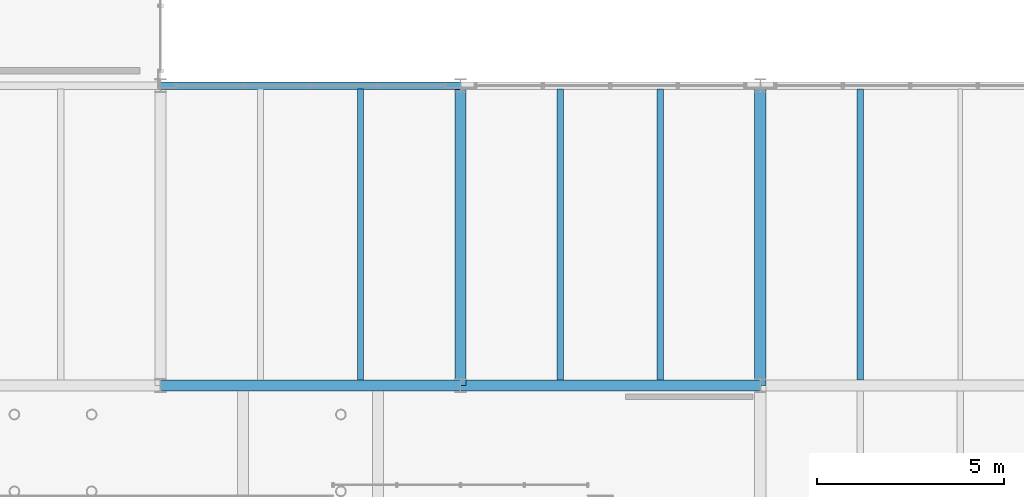
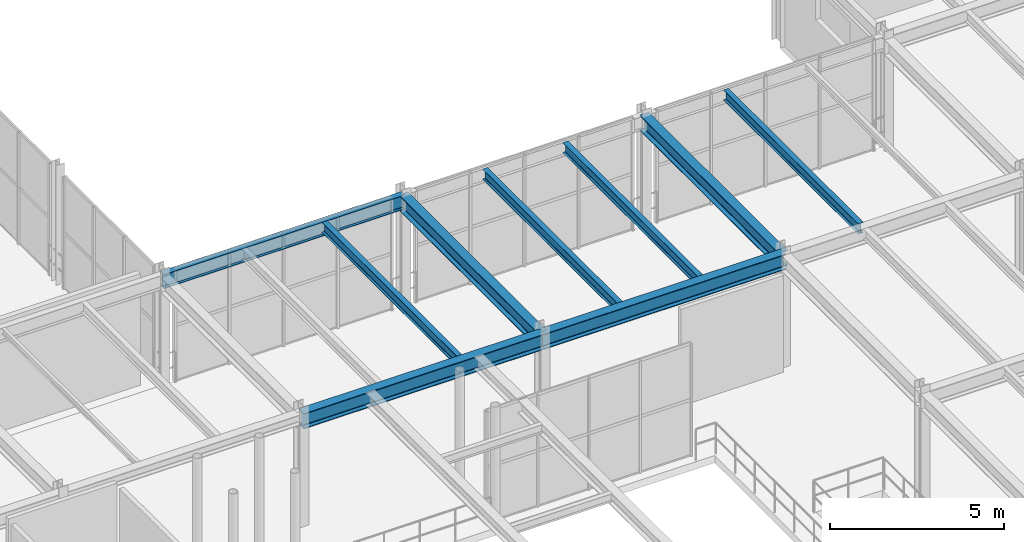
# One storey, part 37 of 122: 9 beams.
"""IFC4 building model written with IfcOpenShell, lengths in metres."""

from ifc_helpers import new_model, si_unit, direction, frame, origin, origin_2d, place, context, subcontext, project, spatial, i_section, extrude, material, material_profile, profile_set, type_object, element, save


model = new_model("IFC4")

# Units and contexts
model_context = context("Model", 3, precision=1e-05, world=origin(), true_north=direction((0.0, 1.0)))
body_context = subcontext(model_context, "Body", "Model", "MODEL_VIEW")
ifc_project = project(units=[si_unit("LENGTHUNIT", "METRE"), si_unit("AREAUNIT", "SQUARE_METRE"), si_unit("VOLUMEUNIT", "CUBIC_METRE"), si_unit("PLANEANGLEUNIT", "RADIAN"), si_unit("MASSUNIT", "GRAM", prefix="KILO")], contexts=[model_context])

# Site, building, storey
site_placement = place(None, origin())
site = spatial("IfcSite", under=ifc_project, at=site_placement, CompositionType="ELEMENT")
building_placement = place(site_placement, origin())
building = spatial("IfcBuilding", under=site, at=building_placement, Name="Sundkrona Museum", CompositionType="ELEMENT")
storey_placement = place(building_placement, frame((0.0, 0.0, 5.39990234375)))
storey = spatial("IfcBuildingStorey", under=building, at=storey_placement, Name="L01", CompositionType="ELEMENT", Elevation=5.39990234375)

# Beams
ifc_material = material(Name="Steel S355J2", Category="steel")
ifc_material_profile_1 = material_profile(ifc_material, i_section(OverallWidth=0.300048828125, OverallDepth=0.5400390625, WebThickness=0.012451171875, FlangeThickness=0.02392578125, FilletRadius=0.027099609375, at=origin_2d()), Name="HEA 550")
ifc_profile_set_1 = profile_set([ifc_material_profile_1], Name="Steel S355J2")
beam_type_1 = type_object("IfcBeamType", Name="B-HEA550", PredefinedType="BEAM", material=ifc_profile_set_1)
for number, where, z_axis, x_axis, name in (
    (1, (96.0, 32.0, 3.670166015625), (1.0, 0.0, 0.0), (0.0, 1.0, 0.0), "L01 Girder X-0838"),
    (2, (104.0, 32.0, 3.670166015625), (1.0, 0.0, 0.0), (0.0, 1.0, 0.0), "L01 Girder X-0839"),
    (3, (104.0, 32.0, 3.670166015625), (0.0, 1.0, 0.0), (-1.0, 0.0, 0.0), "L01 Girder Y-1026"),
    (4, (112.0, 32.0, 3.670166015625), (0.0, 1.0, 0.0), (-1.0, 0.0, 0.0), "L01 Girder Y-1036"),
):
    element("IfcBeam", number, at=place(storey_placement, frame(where, z_axis=z_axis, x_axis=x_axis)), inside=storey, type_object=beam_type_1, Name=name, PredefinedType="BEAM", context=body_context, shape_type="SweptSolid", body=[
        extrude(i_section(OverallWidth=0.300048828125, OverallDepth=0.5400390625, WebThickness=0.012451171875, FlangeThickness=0.02392578125, FilletRadius=0.027099609375, at=origin_2d()), origin(), (0.0, 0.0, 1.0), 8.0),
    ])
ifc_material_profile_2 = material_profile(ifc_material, i_section(OverallWidth=0.169921875, OverallDepth=0.360107421875, WebThickness=0.008056640625, FlangeThickness=0.0126953125, FilletRadius=0.01806640625, at=origin_2d()), Name="IPE 360")
ifc_profile_set_2 = profile_set([ifc_material_profile_2], Name="Steel S355J2")
beam_type_2 = type_object("IfcBeamType", Name="J-IPE360", PredefinedType="JOIST", material=ifc_profile_set_2)
for number, where, z_axis, x_axis, name in (
    (5, (101.333251953125, 32.14404296875, 3.760009765625), (0.0, 1.0, 0.0), (-1.0, 0.0, 0.0), "L01 Composite Joist 0645"),
    (6, (106.666748046875, 32.14404296875, 3.760009765625), (0.0, 1.0, 0.0), (-1.0, 0.0, 0.0), "L01 Composite Joist 0648"),
    (7, (109.333251953125, 32.14404296875, 3.760009765625), (0.0, 1.0, 0.0), (-1.0, 0.0, 0.0), "L01 Composite Joist 0649"),
    (8, (114.666748046875, 32.14404296875, 3.739990234375), (0.0, 1.0, 0.0), (-1.0, 0.0, 0.0), "L01 Composite Joist 0664"),
):
    element("IfcBeam", number, at=place(storey_placement, frame(where, z_axis=z_axis, x_axis=x_axis)), inside=storey, type_object=beam_type_2, Name=name, PredefinedType="JOIST", context=body_context, shape_type="SweptSolid", body=[
        extrude(i_section(OverallWidth=0.169921875, OverallDepth=0.360107421875, WebThickness=0.008056640625, FlangeThickness=0.0126953125, FilletRadius=0.01806640625, at=origin_2d()), origin(), (0.0, 0.0, 1.0), 7.761962890625),
    ])
ifc_material_profile_3 = material_profile(ifc_material, i_section(OverallWidth=0.199951171875, OverallDepth=0.5, WebThickness=0.01025390625, FlangeThickness=0.01611328125, FilletRadius=0.02099609375, at=origin_2d()), Name="IPE 500")
ifc_profile_set_3 = profile_set([ifc_material_profile_3], Name="Steel S355J2")
beam_type_3 = type_object("IfcBeamType", Name="SP-IPE500", PredefinedType="SPANDREL", material=ifc_profile_set_3)
beam_placement = place(storey_placement, frame((96.0, 40.0, 3.690185546875), z_axis=(1.0, 0.0, 0.0), x_axis=(0.0, 1.0, 0.0)))
element("IfcBeam", 9, at=beam_placement, inside=storey, type_object=beam_type_3, Name="L01 Girder X-0851", PredefinedType="SPANDREL", context=body_context, shape_type="SweptSolid", body=[
    extrude(i_section(OverallWidth=0.199951171875, OverallDepth=0.5, WebThickness=0.01025390625, FlangeThickness=0.01611328125, FilletRadius=0.02099609375, at=origin_2d()), origin(), (0.0, 0.0, 1.0), 8.0),
])

save(model, "model.ifc")
